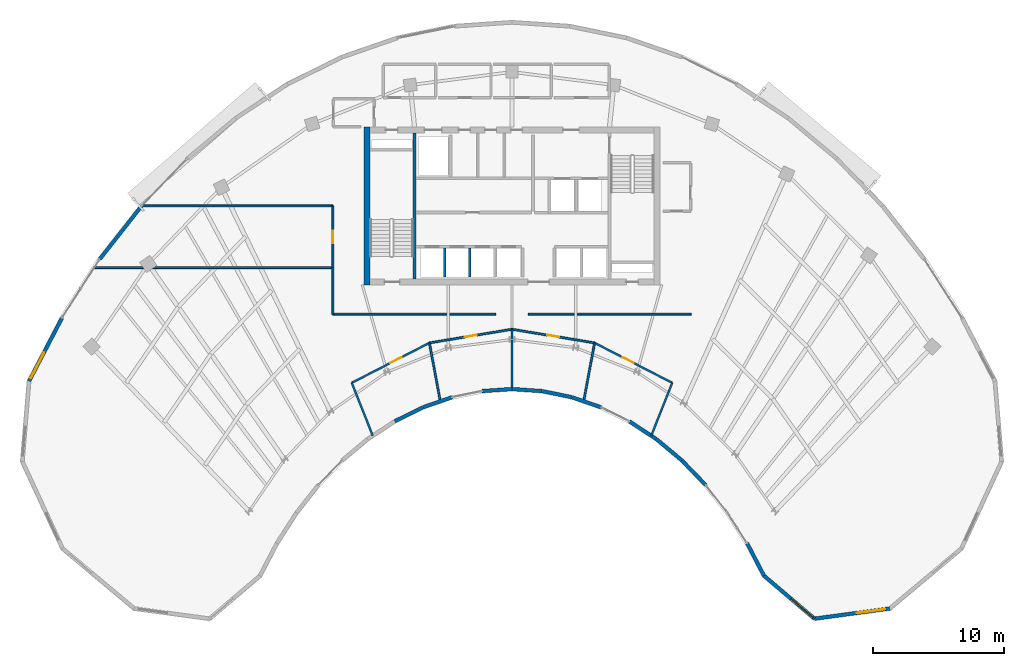
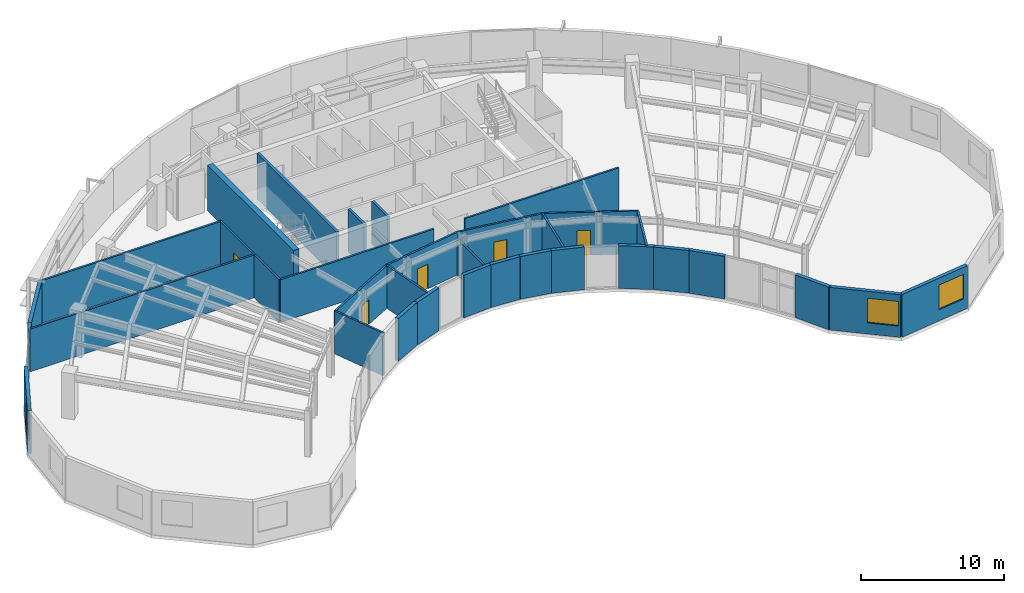
# One storey, part 8 of 14: 33 walls, 5 doors, 3 windows, 8 openings.
"""IFC4 building model written with IfcOpenShell, lengths in metres."""

from ifc_helpers import new_model, si_unit, direction, frame, frame_2d, origin, place, context, subcontext, project, spatial, rectangle, extrude, source, transform, mapped, material, layer, layer_set, type_object, type_shapes, element, fill, save


model = new_model("IFC4")

# Units and contexts
model_context = context("Model", 3, precision=1e-05, world=origin(), true_north=direction((0.0, 1.0)))
body_context = subcontext(model_context, "Body", "Model", "MODEL_VIEW")
ifc_project = project(units=[si_unit("LENGTHUNIT", "METRE"), si_unit("AREAUNIT", "SQUARE_METRE"), si_unit("VOLUMEUNIT", "CUBIC_METRE"), si_unit("PLANEANGLEUNIT", "RADIAN"), si_unit("MASSUNIT", "GRAM", prefix="KILO")], contexts=[model_context])

# Site, building, storey
site_placement = place(None, origin())
site = spatial("IfcSite", under=ifc_project, at=site_placement, CompositionType="ELEMENT")
building_placement = place(site_placement, origin())
building = spatial("IfcBuilding", under=site, at=building_placement, Name="Breltana Convention Tower", CompositionType="ELEMENT")
storey_placement = place(building_placement, frame((0.0, 0.0, 207.89990234375)))
storey = spatial("IfcBuildingStorey", under=building, at=storey_placement, Name="L50", CompositionType="ELEMENT", Elevation=207.89990234375)

# Walls
ifc_material_1 = material(Name="Concrete C60/75", Category="concrete")
ifc_layer_1 = layer(ifc_material_1, 0.449951171875, Name="Concrete C60/75")
ifc_layer_set_1 = layer_set([ifc_layer_1], Name="Concrete C60/75")
wall_type_1 = type_object("IfcWallType", Name="SW-CORE-450", PredefinedType="SHEAR", material=ifc_layer_set_1)
shared_shape_1 = source(origin(), body_context, "Body", "SweptSolid", [
    extrude(rectangle(XDim=12.0, YDim=0.449951171875, at=frame_2d((6.0, 0.0))), origin(), (0.0, 0.0, 1.0), 3.900146484375),
])
wall_1_placement = place(storey_placement, frame((36.97509765625, 60.199951171875, 0.0), z_axis=(0.0, 0.0, 1.0), x_axis=(0.0, 1.0, 0.0)))
element("IfcWall", 1, at=wall_1_placement, inside=storey, type_object=wall_type_1, Name="L50 West Core Shear Wall", PredefinedType="SHEAR", context=body_context, shape_type="MappedRepresentation", body=[
    mapped(shared_shape_1, transform((0.0, 0.0, 0.0), scale=1.0)),
])
ifc_material_2 = material(Name="Concrete C50/60", Category="concrete")
ifc_layer_2 = layer(ifc_material_2, 0.39990234375, Name="Concrete C50/60")
ifc_layer_set_2 = layer_set([ifc_layer_2], Name="Concrete C50/60")
wall_type_2 = type_object("IfcWallType", Name="SW-CORE-400", PredefinedType="SHEAR", material=ifc_layer_set_2)
shared_shape_2 = source(origin(), body_context, "Body", "SweptSolid", [
    extrude(rectangle(XDim=11.10009765625, YDim=0.219970703125, at=frame_2d((5.550048828125, 0.0))), origin(), (0.0, 0.0, 1.0), 3.900146484375),
])
wall_2_placement = place(storey_placement, frame((40.580078125, 60.64990234375, 0.0), z_axis=(0.0, 0.0, 1.0), x_axis=(0.0, 1.0, 0.0)))
element("IfcWall", 2, at=wall_2_placement, inside=storey, type_object=wall_type_2, Name="L50 Core West Stair Spine Wall", PredefinedType="SHEAR", context=body_context, shape_type="MappedRepresentation", body=[
    mapped(shared_shape_2, transform((0.0, 0.0, 0.0), scale=1.0)),
])

# Wall, opening, window
ifc_material_3 = material(Name="Limestone Buff Insulated Wall", Category="masonry")
ifc_layer_3 = layer(ifc_material_3, 0.280029296875, Name="Limestone Buff Insulated Wall")
ifc_layer_set_3 = layer_set([ifc_layer_3], Name="Limestone Buff Insulated Wall")
wall_type_3 = type_object("IfcWallType", Name="WL-EXT-NOSE-280", PredefinedType="SOLIDWALL", material=ifc_layer_set_3)
shared_shape_3 = source(origin(), body_context, "Body", "SweptSolid", [
    extrude(rectangle(XDim=5.771240234375, YDim=0.280029296875, at=frame_2d((2.8857421875, 0.0))), origin(), (0.0, 0.0, 1.0), 3.64013671875),
])
wall_3_placement = place(storey_placement, frame((76.74951171875, 35.559814453125, 0.0), z_axis=(0.0, 0.0, 1.0), x_axis=(-0.990933615537, -0.134352408237, 0.0)))
wall_3 = element("IfcWall", 3, at=wall_3_placement, inside=storey, type_object=wall_type_3, Name="L50 curved limestone nose wall E4", PredefinedType="SOLIDWALL", context=body_context, shape_type="MappedRepresentation", body=[
    mapped(shared_shape_3, transform((0.0, 0.0, 0.0), scale=1.0)),
])
opening_1_placement = place(wall_3_placement, frame((0.343017578125, 0.0, 0.949951171875)))
opening_1 = element("IfcOpeningElement", 4, at=opening_1_placement, cuts=wall_3, Name="Opening W-03", PredefinedType="OPENING", context=body_context, shape_type="SweptSolid", body=[
    extrude(rectangle(XDim=2.199951171875, YDim=2.10009765625, at=frame_2d((1.10009765625, 1.050048828125))), frame((0.0, 0.14990234375, 0.0), z_axis=(0.0, -1.0, 0.0), x_axis=(1.0, 0.0, 0.0)), (0.0, 0.0, 1.0), 0.300048828125),
])
ifc_material_4 = material(Name="Glass Low-E Insulated Window", Category="glass")
window_type = type_object("IfcWindowType", Name="WN-NOSE-2200X2100", PartitioningType="TRIPLE_PANEL_VERTICAL", PredefinedType="WINDOW", material=ifc_material_4)
shared_shape_4 = source(origin(), body_context, "Body", "SweptSolid", [
    extrude(rectangle(XDim=2.199951171875, YDim=2.10009765625, at=frame_2d((1.10009765625, 1.050048828125))), frame((0.0, 0.030029296875, 0.0), z_axis=(0.0, -1.0, 0.0), x_axis=(1.0, 0.0, 0.0)), (0.0, 0.0, 1.0), 0.06005859375),
])
type_shapes(window_type, [shared_shape_4])
window_1_placement = place(opening_1_placement, origin())
window_1 = element("IfcWindow", 5, at=window_1_placement, inside=storey, type_object=window_type, Name="L50 nose window E4", OverallHeight=2.10009765625, OverallWidth=2.199951171875, PartitioningType="TRIPLE_PANEL_VERTICAL", PredefinedType="WINDOW", context=body_context, shape_type="MappedRepresentation", body=[
    mapped(shared_shape_4, transform((0.0, 0.0, 0.0), scale=1.0)),
])
fill(opening_1, window_1)

shared_shape_5 = source(origin(), body_context, "Body", "SweptSolid", [
    extrude(rectangle(XDim=5.051025390625, YDim=0.280029296875, at=frame_2d((2.525390625, 0.0))), origin(), (0.0, 0.0, 1.0), 3.64013671875),
])
wall_4_placement = place(storey_placement, frame((71.030517578125, 34.784423828125, 0.0), z_axis=(0.0, 0.0, 1.0), x_axis=(-0.761904731537, 0.647689107568, 0.0)))
wall_4 = element("IfcWall", 6, at=wall_4_placement, inside=storey, type_object=wall_type_3, Name="L50 curved limestone nose wall E5", PredefinedType="SOLIDWALL", context=body_context, shape_type="MappedRepresentation", body=[
    mapped(shared_shape_5, transform((0.0, 0.0, 0.0), scale=1.0)),
])
opening_2_placement = place(wall_4_placement, frame((0.16259765625, 0.0, 0.949951171875)))
opening_2 = element("IfcOpeningElement", 7, at=opening_2_placement, cuts=wall_4, Name="Opening W-03", PredefinedType="OPENING", context=body_context, shape_type="SweptSolid", body=[
    extrude(rectangle(XDim=2.199951171875, YDim=2.10009765625, at=frame_2d((1.10009765625, 1.050048828125))), frame((0.0, 0.14990234375, 0.0), z_axis=(0.0, -1.0, 0.0), x_axis=(1.0, 0.0, 0.0)), (0.0, 0.0, 1.0), 0.300048828125),
])
window_2_placement = place(opening_2_placement, origin())
window_2 = element("IfcWindow", 8, at=window_2_placement, inside=storey, type_object=window_type, Name="L50 nose window E5", OverallHeight=2.10009765625, OverallWidth=2.199951171875, PartitioningType="TRIPLE_PANEL_VERTICAL", PredefinedType="WINDOW", context=body_context, shape_type="MappedRepresentation", body=[
    mapped(shared_shape_4, transform((0.0, 0.0, 0.0), scale=1.0)),
])
fill(opening_2, window_2)

# Walls
shared_shape_6 = source(origin(), body_context, "Body", "SweptSolid", [
    extrude(rectangle(XDim=2.779296875, YDim=0.280029296875, at=frame_2d((1.3896484375, 0.0))), origin(), (0.0, 0.0, 1.0), 3.64013671875),
])
wall_5_placement = place(storey_placement, frame((67.18212890625, 38.055908203125, 0.0), z_axis=(0.0, 0.0, 1.0), x_axis=(-0.461770308601, 0.886999538948, 0.0)))
element("IfcWall", 9, at=wall_5_placement, inside=storey, type_object=wall_type_3, Name="L50 curved limestone nose wall E6", PredefinedType="SOLIDWALL", context=body_context, shape_type="MappedRepresentation", body=[
    mapped(shared_shape_6, transform((0.0, 0.0, 0.0), scale=1.0)),
])
shared_shape_7 = source(origin(), body_context, "Body", "SweptSolid", [
    extrude(rectangle(XDim=2.587646484375, YDim=0.280029296875, at=frame_2d((1.2939453125, 0.0))), origin(), (0.0, 0.0, 1.0), 3.64013671875),
])
wall_6_placement = place(storey_placement, frame((62.739501953125, 44.96630859375, 0.0), z_axis=(0.0, 0.0, 1.0), x_axis=(-0.694687114507, 0.719312041424, 0.0)))
element("IfcWall", 10, at=wall_6_placement, inside=storey, type_object=wall_type_3, Name="L50 curved limestone nose wall E7", PredefinedType="SOLIDWALL", context=body_context, shape_type="MappedRepresentation", body=[
    mapped(shared_shape_7, transform((0.0, 0.0, 0.0), scale=1.0)),
])
shared_shape_8 = source(origin(), body_context, "Body", "SweptSolid", [
    extrude(rectangle(XDim=2.51123046875, YDim=0.280029296875, at=frame_2d((1.255615234375, 0.0))), origin(), (0.0, 0.0, 1.0), 3.64013671875),
])
wall_7_placement = place(storey_placement, frame((60.927734375, 46.8408203125, 0.0), z_axis=(0.0, 0.0, 1.0), x_axis=(-0.767910416122, 0.640557251782, 0.0)))
element("IfcWall", 11, at=wall_7_placement, inside=storey, type_object=wall_type_3, Name="L50 curved limestone nose wall E8", PredefinedType="SOLIDWALL", context=body_context, shape_type="MappedRepresentation", body=[
    mapped(shared_shape_8, transform((0.0, 0.0, 0.0), scale=1.0)),
])
shared_shape_9 = source(origin(), body_context, "Body", "SweptSolid", [
    extrude(rectangle(XDim=2.440185546875, YDim=0.280029296875, at=frame_2d((1.22021484375, 0.0))), origin(), (0.0, 0.0, 1.0), 3.64013671875),
])
wall_8_placement = place(storey_placement, frame((58.98291015625, 48.461669921875, 0.0), z_axis=(0.0, 0.0, 1.0), x_axis=(-0.83598480459, 0.548752591333, 0.0)))
element("IfcWall", 12, at=wall_8_placement, inside=storey, type_object=wall_type_3, Name="L50 curved limestone nose wall E9", PredefinedType="SOLIDWALL", context=body_context, shape_type="MappedRepresentation", body=[
    mapped(shared_shape_9, transform((0.0, 0.0, 0.0), scale=1.0)),
])
shared_shape_10 = source(origin(), body_context, "Body", "SweptSolid", [
    extrude(rectangle(XDim=2.327880859375, YDim=0.280029296875, at=frame_2d((1.1640625, 0.0))), origin(), (0.0, 0.0, 1.0), 3.64013671875),
])
for number, where, z_axis, x_axis, name in (
    (13, (54.7724609375, 50.87646484375, 0.0), (0.0, 0.0, 1.0), (-0.944872545641, 0.32743834915, 0.0), "L50 curved limestone nose wall E10"),
    (14, (43.427001953125, 51.638671875, 0.0), (0.0, 0.0, 1.0), (-0.944872545641, -0.32743834915, 0.0), "L50 curved limestone nose wall E14"),
):
    element("IfcWall", number, at=place(storey_placement, frame(where, z_axis=z_axis, x_axis=x_axis)), inside=storey, type_object=wall_type_3, Name=name, PredefinedType="SOLIDWALL", context=body_context, shape_type="MappedRepresentation", body=[
        mapped(shared_shape_10, transform((0.0, 0.0, 0.0), scale=1.0)),
    ])
shared_shape_11 = source(origin(), body_context, "Body", "SweptSolid", [
    extrude(rectangle(XDim=2.2919921875, YDim=0.280029296875, at=frame_2d((1.14599609375, 0.0))), origin(), (0.0, 0.0, 1.0), 3.64013671875),
])
wall_9_placement = place(storey_placement, frame((52.55029296875, 51.64501953125, 0.0), z_axis=(0.0, 0.0, 1.0), x_axis=(-0.979635482689, 0.200784264963, 0.0)))
element("IfcWall", 15, at=wall_9_placement, inside=storey, type_object=wall_type_3, Name="L50 curved limestone nose wall E11", PredefinedType="SOLIDWALL", context=body_context, shape_type="MappedRepresentation", body=[
    mapped(shared_shape_11, transform((0.0, 0.0, 0.0), scale=1.0)),
])
shared_shape_12 = source(origin(), body_context, "Body", "SweptSolid", [
    extrude(rectangle(XDim=2.27392578125, YDim=0.280029296875, at=frame_2d((1.136962890625, 0.0))), origin(), (0.0, 0.0, 1.0), 3.64013671875),
])
for number, where, z_axis, x_axis, name in (
    (16, (50.281005859375, 52.108642578125, 0.0), (0.0, 0.0, 1.0), (-0.997702696995, 0.067744582138, 0.0), "L50 curved limestone nose wall E12"),
    (17, (47.98779296875, 52.2626953125, 0.0), (0.0, 0.0, 1.0), (-0.997702696995, -0.067744582138, 0.0), "L50 curved limestone nose wall E13"),
):
    element("IfcWall", number, at=place(storey_placement, frame(where, z_axis=z_axis, x_axis=x_axis)), inside=storey, type_object=wall_type_3, Name=name, PredefinedType="SOLIDWALL", context=body_context, shape_type="MappedRepresentation", body=[
        mapped(shared_shape_12, transform((0.0, 0.0, 0.0), scale=1.0)),
    ])
shared_shape_13 = source(origin(), body_context, "Body", "SweptSolid", [
    extrude(rectangle(XDim=2.377685546875, YDim=0.280029296875, at=frame_2d((1.18896484375, 0.0))), origin(), (0.0, 0.0, 1.0), 3.64013671875),
])
wall_10_placement = place(storey_placement, frame((41.20654296875, 50.86767578125, 0.0), z_axis=(0.0, 0.0, 1.0), x_axis=(-0.895941616831, -0.444171835252, 0.0)))
element("IfcWall", 18, at=wall_10_placement, inside=storey, type_object=wall_type_3, Name="L50 curved limestone nose wall E15", PredefinedType="SOLIDWALL", context=body_context, shape_type="MappedRepresentation", body=[
    mapped(shared_shape_13, transform((0.0, 0.0, 0.0), scale=1.0)),
])

# Wall, opening, window
shared_shape_14 = source(origin(), body_context, "Body", "SweptSolid", [
    extrude(rectangle(XDim=5.41552734375, YDim=0.280029296875, at=frame_2d((2.707763671875, 0.0))), origin(), (0.0, 0.0, 1.0), 3.64013671875),
])
wall_11_placement = place(storey_placement, frame((11.243896484375, 52.87353515625, 0.0), z_axis=(0.0, 0.0, 1.0), x_axis=(0.46177852435, 0.886995261796, 0.0)))
wall_11 = element("IfcWall", 19, at=wall_11_placement, inside=storey, type_object=wall_type_3, Name="L50 curved limestone nose wall W7", PredefinedType="SOLIDWALL", context=body_context, shape_type="MappedRepresentation", body=[
    mapped(shared_shape_14, transform((0.0, 0.0, 0.0), scale=1.0)),
])
opening_3_placement = place(wall_11_placement, frame((0.25390625, 0.0, 0.949951171875)))
opening_3 = element("IfcOpeningElement", 20, at=opening_3_placement, cuts=wall_11, Name="Opening W-03", PredefinedType="OPENING", context=body_context, shape_type="SweptSolid", body=[
    extrude(rectangle(XDim=2.199951171875, YDim=2.10009765625, at=frame_2d((1.10009765625, 1.050048828125))), frame((0.0, 0.14990234375, 0.0), z_axis=(0.0, -1.0, 0.0), x_axis=(1.0, 0.0, 0.0)), (0.0, 0.0, 1.0), 0.300048828125),
])
window_3_placement = place(opening_3_placement, origin())
window_3 = element("IfcWindow", 21, at=window_3_placement, inside=storey, type_object=window_type, Name="L50 nose window W7", OverallHeight=2.10009765625, OverallWidth=2.199951171875, PartitioningType="TRIPLE_PANEL_VERTICAL", PredefinedType="WINDOW", context=body_context, shape_type="MappedRepresentation", body=[
    mapped(shared_shape_4, transform((0.0, 0.0, 0.0), scale=1.0)),
])
fill(opening_3, window_3)

# Walls
shared_shape_15 = source(origin(), body_context, "Body", "SweptSolid", [
    extrude(rectangle(XDim=5.153076171875, YDim=0.280029296875, at=frame_2d((2.57666015625, 0.0))), origin(), (0.0, 0.0, 1.0), 3.64013671875),
])
wall_12_placement = place(storey_placement, frame((16.609130859375, 62.1396484375, 0.0), z_axis=(0.0, 0.0, 1.0), x_axis=(0.618179283891, 0.786037132054, 0.0)))
element("IfcWall", 22, at=wall_12_placement, inside=storey, type_object=wall_type_3, Name="L50 curved limestone nose wall E20", PredefinedType="SOLIDWALL", context=body_context, shape_type="MappedRepresentation", body=[
    mapped(shared_shape_15, transform((0.0, 0.0, 0.0), scale=1.0)),
])
ifc_material_5 = material(Name="Autoclaved Aerated Concrete Block", Category="concrete")
ifc_layer_4 = layer(ifc_material_5, 0.199951171875, Name="Autoclaved Aerated Concrete Block")
ifc_layer_set_4 = layer_set([ifc_layer_4], Name="Autoclaved Aerated Concrete Block")
wall_type_4 = type_object("IfcWallType", Name="WL-SHAFT-200", PredefinedType="SOLIDWALL", material=ifc_layer_set_4)
shared_shape_16 = source(origin(), body_context, "Body", "SweptSolid", [
    extrude(rectangle(XDim=2.199951171875, YDim=0.199951171875, at=frame_2d((1.10009765625, 0.0))), origin(), (0.0, 0.0, 1.0), 3.64013671875),
])
for number, where, z_axis, x_axis, name in (
    (23, (42.8701171875, 60.800048828125, 0.0), (0.0, 0.0, 1.0), (0.0, 1.0, 0.0), "L50 interior partition W-L50-SH-S-DIV1"),
    (24, (44.77001953125, 60.800048828125, 0.0), (0.0, 0.0, 1.0), (0.0, 1.0, 0.0), "L50 interior partition W-L50-SH-S-DIV2"),
):
    element("IfcWall", number, at=place(storey_placement, frame(where, z_axis=z_axis, x_axis=x_axis)), inside=storey, type_object=wall_type_4, Name=name, PredefinedType="SOLIDWALL", context=body_context, shape_type="MappedRepresentation", body=[
        mapped(shared_shape_16, transform((0.0, 0.0, 0.0), scale=1.0)),
    ])

# Wall, opening, door
ifc_material_6 = material(Name="Gypsum Acoustic Drywall Partition")
ifc_layer_5 = layer(ifc_material_6, 0.14990234375, Name="Gypsum Acoustic Drywall Partition")
ifc_layer_set_5 = layer_set([ifc_layer_5], Name="Gypsum Acoustic Drywall Partition")
wall_type_5 = type_object("IfcWallType", Name="WL-PART-150", PredefinedType="PARTITIONING", material=ifc_layer_set_5)
shared_shape_17 = source(origin(), body_context, "Body", "SweptSolid", [
    extrude(rectangle(XDim=6.64794921875, YDim=0.14990234375, at=frame_2d((3.323974609375, 0.0))), origin(), (0.0, 0.0, 1.0), 3.64013671875),
])
wall_13_placement = place(storey_placement, frame((35.802978515625, 52.73828125, 0.0), z_axis=(0.0, 0.0, 1.0), x_axis=(0.889264330224, 0.457393649925, 0.0)))
wall_13 = element("IfcWall", 25, at=wall_13_placement, inside=storey, type_object=wall_type_5, Name="L50 interior partition W-L50-ES1-COR", PredefinedType="PARTITIONING", context=body_context, shape_type="MappedRepresentation", body=[
    mapped(shared_shape_17, transform((0.0, 0.0, 0.0), scale=1.0)),
])
opening_4_placement = place(wall_13_placement, frame((3.299072265625, 0.0, 0.0)))
opening_4 = element("IfcOpeningElement", 26, at=opening_4_placement, cuts=wall_13, Name="Opening D-17", PredefinedType="OPENING", context=body_context, shape_type="SweptSolid", body=[
    extrude(rectangle(XDim=0.949951171875, YDim=2.10009765625, at=frame_2d((0.47509765625, 1.050048828125))), frame((0.0, 0.0849609375, 0.0), z_axis=(0.0, -1.0, 0.0), x_axis=(1.0, 0.0, 0.0)), (0.0, 0.0, 1.0), 0.169921875),
])
ifc_material_7 = material(Name="Timber Oak Veneer Door", Category="wood")
door_type = type_object("IfcDoorType", Name="DR-INT-950", OperationType="NOTDEFINED", PredefinedType="DOOR", material=ifc_material_7)
shared_shape_18 = source(origin(), body_context, "Body", "SweptSolid", [
    extrude(rectangle(XDim=0.949951171875, YDim=2.10009765625, at=frame_2d((0.47509765625, 1.050048828125))), frame((0.0, 0.02490234375, 0.0), z_axis=(0.0, -1.0, 0.0), x_axis=(1.0, 0.0, 0.0)), (0.0, 0.0, 1.0), 0.050048828125),
])
type_shapes(door_type, [shared_shape_18])
door_1_placement = place(opening_4_placement, origin())
door_1 = element("IfcDoor", 27, at=door_1_placement, inside=storey, type_object=door_type, Name="L50 interior door D-L50-ES1", OperationType="SINGLE_SWING_RIGHT", OverallHeight=2.10009765625, OverallWidth=0.949951171875, PredefinedType="DOOR", context=body_context, shape_type="MappedRepresentation", body=[
    mapped(shared_shape_18, transform((0.0, 0.0, 0.0), scale=1.0)),
])
fill(opening_4, door_1)

wall_14_placement = place(storey_placement, frame((54.28515625, 55.779052734375, 0.0), z_axis=(0.0, 0.0, 1.0), x_axis=(0.889264330224, -0.457393649925, 0.0)))
wall_14 = element("IfcWall", 28, at=wall_14_placement, inside=storey, type_object=wall_type_5, Name="L50 interior partition W-L50-ES4-COR", PredefinedType="PARTITIONING", context=body_context, shape_type="MappedRepresentation", body=[
    mapped(shared_shape_17, transform((0.0, 0.0, 0.0), scale=1.0)),
])
opening_5_placement = place(wall_14_placement, frame((2.39892578125, 0.0, 0.0)))
opening_5 = element("IfcOpeningElement", 29, at=opening_5_placement, cuts=wall_14, Name="Opening D-17", PredefinedType="OPENING", context=body_context, shape_type="SweptSolid", body=[
    extrude(rectangle(XDim=0.949951171875, YDim=2.10009765625, at=frame_2d((0.47509765625, 1.050048828125))), frame((0.0, 0.0849609375, 0.0), z_axis=(0.0, -1.0, 0.0), x_axis=(1.0, 0.0, 0.0)), (0.0, 0.0, 1.0), 0.169921875),
])
door_2_placement = place(opening_5_placement, origin())
door_2 = element("IfcDoor", 30, at=door_2_placement, inside=storey, type_object=door_type, Name="L50 interior door D-L50-ES4", OperationType="SINGLE_SWING_LEFT", OverallHeight=2.10009765625, OverallWidth=0.949951171875, PredefinedType="DOOR", context=body_context, shape_type="MappedRepresentation", body=[
    mapped(shared_shape_18, transform((0.0, 0.0, 0.0), scale=1.0)),
])
fill(opening_5, door_2)

# Walls
shared_shape_19 = source(origin(), body_context, "Body", "SweptSolid", [
    extrude(rectangle(XDim=4.3203125, YDim=0.14990234375, at=frame_2d((2.16015625, 0.0))), origin(), (0.0, 0.0, 1.0), 3.64013671875),
])
for number, where, z_axis, x_axis, name in (
    (31, (37.396484375, 48.72265625, 0.0), (0.0, 0.0, 1.0), (-0.368846295269, 0.929490403644, 0.0), "L50 interior partition W-L50-ES1-RA"),
    (32, (58.603515625, 48.72265625, 0.0), (0.0, 0.0, 1.0), (0.368846295269, 0.929490403644, 0.0), "L50 interior partition W-L50-ES4-RB"),
):
    element("IfcWall", number, at=place(storey_placement, frame(where, z_axis=z_axis, x_axis=x_axis)), inside=storey, type_object=wall_type_5, Name=name, PredefinedType="PARTITIONING", context=body_context, shape_type="MappedRepresentation", body=[
        mapped(shared_shape_19, transform((0.0, 0.0, 0.0), scale=1.0)),
    ])
shared_shape_20 = source(origin(), body_context, "Body", "SweptSolid", [
    extrude(rectangle(XDim=4.51318359375, YDim=0.14990234375, at=frame_2d((2.256591796875, 0.0))), origin(), (0.0, 0.0, 1.0), 3.64013671875),
])
for number, where, z_axis, x_axis, name in (
    (33, (42.54052734375, 51.342041015625, 0.0), (0.0, 0.0, 1.0), (-0.182949257828, 0.983122357115, 0.0), "L50 interior partition W-L50-ES1-RB"),
    (34, (53.45947265625, 51.342041015625, 0.0), (0.0, 0.0, 1.0), (0.182949257828, 0.983122357115, 0.0), "L50 interior partition W-L50-ES3-RB"),
):
    element("IfcWall", number, at=place(storey_placement, frame(where, z_axis=z_axis, x_axis=x_axis)), inside=storey, type_object=wall_type_5, Name=name, PredefinedType="PARTITIONING", context=body_context, shape_type="MappedRepresentation", body=[
        mapped(shared_shape_20, transform((0.0, 0.0, 0.0), scale=1.0)),
    ])

# Wall, opening, door
shared_shape_21 = source(origin(), body_context, "Body", "SweptSolid", [
    extrude(rectangle(XDim=6.36962890625, YDim=0.14990234375, at=frame_2d((3.184814453125, 0.0))), origin(), (0.0, 0.0, 1.0), 3.64013671875),
])
wall_15_placement = place(storey_placement, frame((41.71484375, 55.779052734375, 0.0), z_axis=(0.0, 0.0, 1.0), x_axis=(0.986731594983, 0.162359968783, 0.0)))
wall_15 = element("IfcWall", 35, at=wall_15_placement, inside=storey, type_object=wall_type_5, Name="L50 interior partition W-L50-ES2-COR", PredefinedType="PARTITIONING", context=body_context, shape_type="MappedRepresentation", body=[
    mapped(shared_shape_21, transform((0.0, 0.0, 0.0), scale=1.0)),
])
opening_6_placement = place(wall_15_placement, frame((2.709716796875, 0.0, 0.0)))
opening_6 = element("IfcOpeningElement", 36, at=opening_6_placement, cuts=wall_15, Name="Opening D-17", PredefinedType="OPENING", context=body_context, shape_type="SweptSolid", body=[
    extrude(rectangle(XDim=0.949951171875, YDim=2.10009765625, at=frame_2d((0.47509765625, 1.050048828125))), frame((0.0, 0.0849609375, 0.0), z_axis=(0.0, -1.0, 0.0), x_axis=(1.0, 0.0, 0.0)), (0.0, 0.0, 1.0), 0.169921875),
])
door_3_placement = place(opening_6_placement, origin())
door_3 = element("IfcDoor", 37, at=door_3_placement, inside=storey, type_object=door_type, Name="L50 interior door D-L50-ES2", OperationType="SINGLE_SWING_LEFT", OverallHeight=2.10009765625, OverallWidth=0.949951171875, PredefinedType="DOOR", context=body_context, shape_type="MappedRepresentation", body=[
    mapped(shared_shape_18, transform((0.0, 0.0, 0.0), scale=1.0)),
])
fill(opening_6, door_3)

wall_16_placement = place(storey_placement, frame((48.0, 56.813232421875, 0.0), z_axis=(0.0, 0.0, 1.0), x_axis=(0.986731594983, -0.162359968783, 0.0)))
wall_16 = element("IfcWall", 38, at=wall_16_placement, inside=storey, type_object=wall_type_5, Name="L50 interior partition W-L50-ES3-COR", PredefinedType="PARTITIONING", context=body_context, shape_type="MappedRepresentation", body=[
    mapped(shared_shape_21, transform((0.0, 0.0, 0.0), scale=1.0)),
])
opening_7_placement = place(wall_16_placement, frame((2.709716796875, 0.0, 0.0)))
opening_7 = element("IfcOpeningElement", 39, at=opening_7_placement, cuts=wall_16, Name="Opening D-17", PredefinedType="OPENING", context=body_context, shape_type="SweptSolid", body=[
    extrude(rectangle(XDim=0.949951171875, YDim=2.10009765625, at=frame_2d((0.47509765625, 1.050048828125))), frame((0.0, 0.0849609375, 0.0), z_axis=(0.0, -1.0, 0.0), x_axis=(1.0, 0.0, 0.0)), (0.0, 0.0, 1.0), 0.169921875),
])
door_4_placement = place(opening_7_placement, origin())
door_4 = element("IfcDoor", 40, at=door_4_placement, inside=storey, type_object=door_type, Name="L50 interior door D-L50-ES3", OperationType="SINGLE_SWING_RIGHT", OverallHeight=2.10009765625, OverallWidth=0.949951171875, PredefinedType="DOOR", context=body_context, shape_type="MappedRepresentation", body=[
    mapped(shared_shape_18, transform((0.0, 0.0, 0.0), scale=1.0)),
])
fill(opening_7, door_4)

# Walls
shared_shape_22 = source(origin(), body_context, "Body", "SweptSolid", [
    extrude(rectangle(XDim=4.54052734375, YDim=0.14990234375, at=frame_2d((2.270263671875, 0.0))), origin(), (0.0, 0.0, 1.0), 3.085205078125),
])
wall_17_placement = place(storey_placement, frame((48.0, 52.272705078125, 0.0), z_axis=(0.0, 0.0, 1.0), x_axis=(0.0, 1.0, 0.0)))
element("IfcWall", 41, at=wall_17_placement, inside=storey, type_object=wall_type_5, Name="L50 interior partition W-L50-ES2-RB", PredefinedType="PARTITIONING", context=body_context, shape_type="MappedRepresentation", body=[
    mapped(shared_shape_22, transform((0.0, 0.0, 0.0), scale=1.0)),
])
shared_shape_23 = source(origin(), body_context, "Body", "SweptSolid", [
    extrude(rectangle(XDim=12.389892578125, YDim=0.14990234375, at=frame_2d((6.19482421875, 0.0))), origin(), (0.0, 0.0, 1.0), 3.64013671875),
])
for number, where, z_axis, x_axis, name in (
    (42, (34.360107421875, 57.9599609375, 0.0), (0.0, 0.0, 1.0), (1.0, 0.0, 0.0), "L50 interior partition W-L50-Z45-CSW"),
    (43, (49.25, 57.9599609375, 0.0), (0.0, 0.0, 1.0), (1.0, 0.0, 0.0), "L50 interior partition W-L50-Z45-CSE"),
):
    element("IfcWall", number, at=place(storey_placement, frame(where, z_axis=z_axis, x_axis=x_axis)), inside=storey, type_object=wall_type_5, Name=name, PredefinedType="PARTITIONING", context=body_context, shape_type="MappedRepresentation", body=[
        mapped(shared_shape_23, transform((0.0, 0.0, 0.0), scale=1.0)),
    ])
shared_shape_24 = source(origin(), body_context, "Body", "SweptSolid", [
    extrude(rectangle(XDim=18.149658203125, YDim=0.14990234375, at=frame_2d((9.07470703125, 0.0))), origin(), (0.0, 0.0, 1.0), 3.64013671875),
])
wall_18_placement = place(storey_placement, frame((16.21044921875, 61.5, 0.0), z_axis=(0.0, 0.0, 1.0), x_axis=(1.0, 0.0, 0.0)))
element("IfcWall", 44, at=wall_18_placement, inside=storey, type_object=wall_type_5, Name="L50 interior partition W-L50-EXW1-N", PredefinedType="PARTITIONING", context=body_context, shape_type="MappedRepresentation", body=[
    mapped(shared_shape_24, transform((0.0, 0.0, 0.0), scale=1.0)),
])
shared_shape_25 = source(origin(), body_context, "Body", "SweptSolid", [
    extrude(rectangle(XDim=3.5400390625, YDim=0.14990234375, at=frame_2d((1.77001953125, 0.0))), origin(), (0.0, 0.0, 1.0), 3.64013671875),
])
wall_19_placement = place(storey_placement, frame((34.360107421875, 57.9599609375, 0.0), z_axis=(0.0, 0.0, 1.0), x_axis=(0.0, 1.0, 0.0)))
element("IfcWall", 45, at=wall_19_placement, inside=storey, type_object=wall_type_5, Name="L50 interior partition W-L50-EXW1-ENT", PredefinedType="PARTITIONING", context=body_context, shape_type="MappedRepresentation", body=[
    mapped(shared_shape_25, transform((0.0, 0.0, 0.0), scale=1.0)),
])
shared_shape_26 = source(origin(), body_context, "Body", "SweptSolid", [
    extrude(rectangle(XDim=14.542236328125, YDim=0.14990234375, at=frame_2d((7.27099609375, 0.0))), origin(), (0.0, 0.0, 1.0), 3.64013671875),
])
wall_20_placement = place(storey_placement, frame((19.81787109375, 66.199951171875, 0.0), z_axis=(0.0, 0.0, 1.0), x_axis=(1.0, 0.0, 0.0)))
element("IfcWall", 46, at=wall_20_placement, inside=storey, type_object=wall_type_5, Name="L50 interior partition W-L50-EXW2-N", PredefinedType="PARTITIONING", context=body_context, shape_type="MappedRepresentation", body=[
    mapped(shared_shape_26, transform((0.0, 0.0, 0.0), scale=1.0)),
])

# Wall, opening, door
shared_shape_27 = source(origin(), body_context, "Body", "SweptSolid", [
    extrude(rectangle(XDim=4.699951171875, YDim=0.14990234375, at=frame_2d((2.35009765625, 0.0))), origin(), (0.0, 0.0, 1.0), 3.64013671875),
])
wall_21_placement = place(storey_placement, frame((34.360107421875, 61.5, 0.0), z_axis=(0.0, 0.0, 1.0), x_axis=(0.0, 1.0, 0.0)))
wall_21 = element("IfcWall", 47, at=wall_21_placement, inside=storey, type_object=wall_type_5, Name="L50 interior partition W-L50-EXW2-ENT", PredefinedType="PARTITIONING", context=body_context, shape_type="MappedRepresentation", body=[
    mapped(shared_shape_27, transform((0.0, 0.0, 0.0), scale=1.0)),
])
opening_8_placement = place(wall_21_placement, frame((1.875, 0.0, 0.0)))
opening_8 = element("IfcOpeningElement", 48, at=opening_8_placement, cuts=wall_21, Name="Opening D-17", PredefinedType="OPENING", context=body_context, shape_type="SweptSolid", body=[
    extrude(rectangle(XDim=0.949951171875, YDim=2.10009765625, at=frame_2d((0.47509765625, 1.050048828125))), frame((0.0, 0.0849609375, 0.0), z_axis=(0.0, -1.0, 0.0), x_axis=(1.0, 0.0, 0.0)), (0.0, 0.0, 1.0), 0.169921875),
])
door_5_placement = place(opening_8_placement, origin())
door_5 = element("IfcDoor", 49, at=door_5_placement, inside=storey, type_object=door_type, Name="L50 interior door D-L50-EXW2", OperationType="SINGLE_SWING_LEFT", OverallHeight=2.10009765625, OverallWidth=0.949951171875, PredefinedType="DOOR", context=body_context, shape_type="MappedRepresentation", body=[
    mapped(shared_shape_18, transform((0.0, 0.0, 0.0), scale=1.0)),
])
fill(opening_8, door_5)

save(model, "model.ifc")
